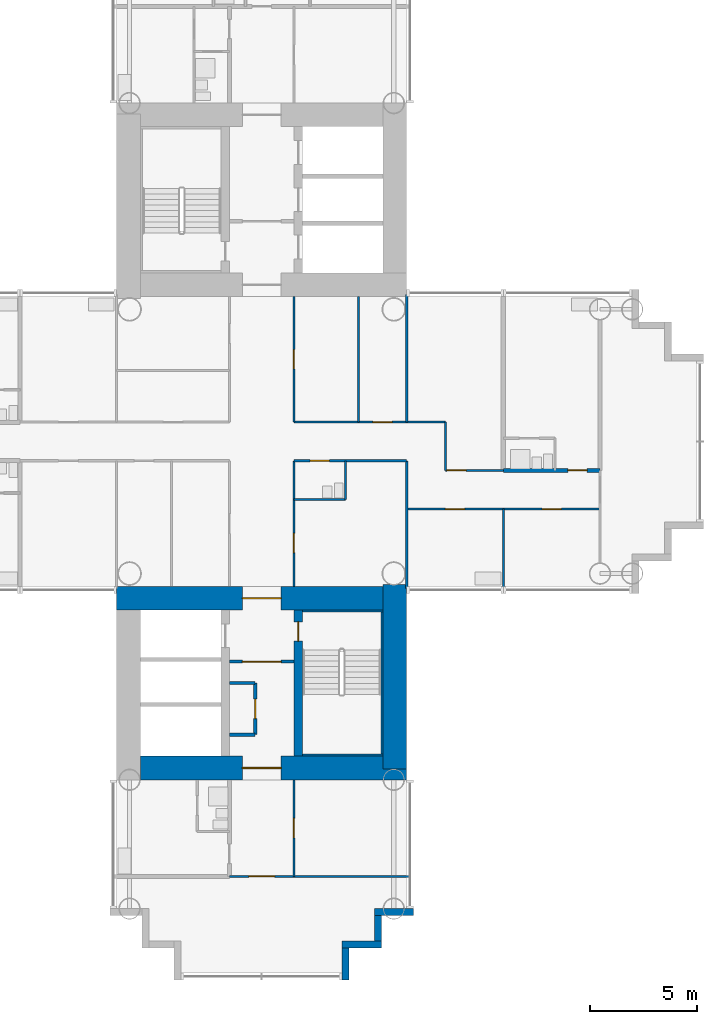
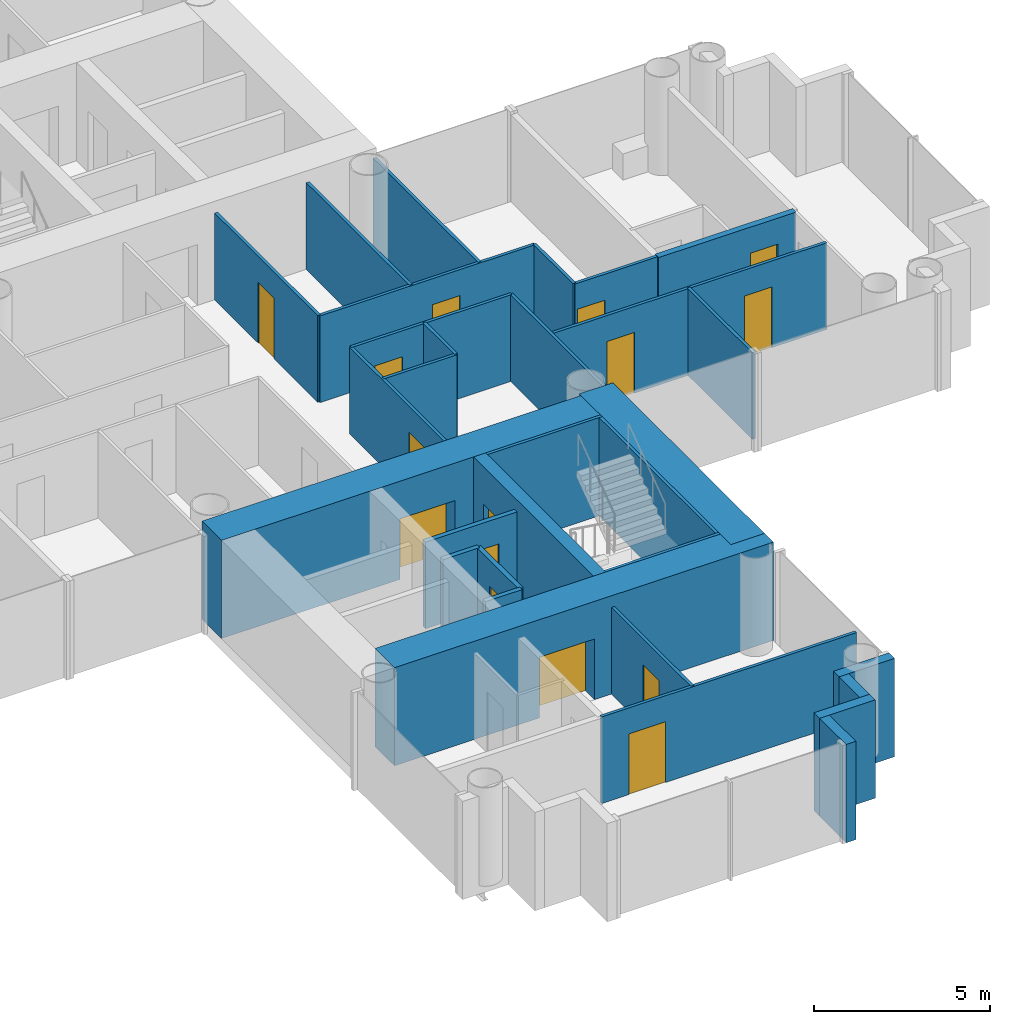
# One storey, part 13 of 21: 31 walls, 15 doors, 15 openings.
"""IFC4 building model written with IfcOpenShell, lengths in metres."""

from ifc_helpers import new_model, si_unit, direction, frame, frame_2d, origin, place, context, subcontext, project, spatial, rectangle, extrude, material, layer, layer_set, type_object, element, fill, save


model = new_model("IFC4")

# Units and contexts
model_context = context("Model", 3, precision=1e-05, world=origin(), true_north=direction((0.0, 1.0)))
body_context = subcontext(model_context, "Body", "Model", "MODEL_VIEW")
ifc_project = project(units=[si_unit("LENGTHUNIT", "METRE"), si_unit("AREAUNIT", "SQUARE_METRE"), si_unit("VOLUMEUNIT", "CUBIC_METRE"), si_unit("PLANEANGLEUNIT", "RADIAN"), si_unit("MASSUNIT", "GRAM", prefix="KILO")], contexts=[model_context])

# Site, building, storey
site_placement = place(None, origin())
site = spatial("IfcSite", under=ifc_project, at=site_placement, CompositionType="ELEMENT")
building_placement = place(site_placement, origin())
building = spatial("IfcBuilding", under=site, at=building_placement, Name="Ipe Terrace Towers", CompositionType="ELEMENT")
storey_placement = place(building_placement, frame((0.0, 0.0, 41.5)))
storey = spatial("IfcBuildingStorey", under=building, at=storey_placement, Name="L10", CompositionType="ELEMENT", Elevation=41.5)

# Walls
ifc_material_1 = material(Name="Concrete C40/50 with buff precast cladding", Category="concrete")
ifc_layer_1 = layer(ifc_material_1, 0.320068359375)
ifc_layer_set_1 = layer_set([ifc_layer_1], Name="BUFF CLADDING WALL 320")
wall_type_1 = type_object("IfcWallType", Name="BUFF CLADDING WALL 320", PredefinedType="STANDARD", material=ifc_layer_set_1)
wall_1_placement = place(storey_placement, frame((39.909912109375, -25.070068359375, -0.300048828125), z_axis=(0.0, 0.0, 1.0), x_axis=(0.0, 1.0, 0.0)))
element("IfcWall", 1, at=wall_1_placement, inside=storey, type_object=wall_type_1, Name="T2-W-L10-00a wall", PredefinedType="STANDARD", context=body_context, shape_type="SweptSolid", body=[
    extrude(rectangle(XDim=1.5, YDim=0.320068359375, at=frame_2d((0.75, 0.0))), origin(), (0.0, 0.0, 1.0), 3.400146484375),
])
wall_2_placement = place(storey_placement, frame((39.75, -23.409912109375, -0.300048828125), z_axis=(0.0, 0.0, 1.0), x_axis=(1.0, 0.0, 0.0)))
element("IfcWall", 2, at=wall_2_placement, inside=storey, type_object=wall_type_1, Name="T2-W-L10-01a wall", PredefinedType="STANDARD", context=body_context, shape_type="SweptSolid", body=[
    extrude(rectangle(XDim=1.820068359375, YDim=0.320068359375, at=frame_2d((0.91015625, 0.0))), origin(), (0.0, 0.0, 1.0), 3.400146484375),
])
wall_3_placement = place(storey_placement, frame((41.409912109375, -23.25, -0.300048828125), z_axis=(0.0, 0.0, 1.0), x_axis=(0.0, 1.0, 0.0)))
element("IfcWall", 3, at=wall_3_placement, inside=storey, type_object=wall_type_1, Name="T2-W-L10-02a wall", PredefinedType="STANDARD", context=body_context, shape_type="SweptSolid", body=[
    extrude(rectangle(XDim=1.179931640625, YDim=0.320068359375, at=frame_2d((0.58984375, 0.0))), origin(), (0.0, 0.0, 1.0), 3.400146484375),
])
wall_4_placement = place(storey_placement, frame((41.25, -21.909912109375, -0.300048828125), z_axis=(0.0, 0.0, 1.0), x_axis=(1.0, 0.0, 0.0)))
element("IfcWall", 4, at=wall_4_placement, inside=storey, type_object=wall_type_1, Name="T2-W-L10-03a wall", PredefinedType="STANDARD", context=body_context, shape_type="SweptSolid", body=[
    extrude(rectangle(XDim=1.820068359375, YDim=0.320068359375, at=frame_2d((0.91015625, 0.0))), origin(), (0.0, 0.0, 1.0), 3.400146484375),
])

# Wall, opening, door
ifc_material_2 = material(Name="Gypsum board partition", Category="plasterboard")
ifc_layer_2 = layer(ifc_material_2, 0.10009765625)
ifc_layer_set_2 = layer_set([ifc_layer_2], Name="Gypsum board partition 100 mm")
wall_type_2 = type_object("IfcWallType", Name="Gypsum board partition 100 mm", PredefinedType="PARTITIONING", material=ifc_layer_set_2)
wall_5_placement = place(storey_placement, frame((42.85009765625, -20.25, 0.0), z_axis=(0.0, 0.0, 1.0), x_axis=(-1.0, 0.0, 0.0)))
wall_5 = element("IfcWall", 5, at=wall_5_placement, inside=storey, type_object=wall_type_2, Name="Gypsum board partition T2 L10 W01", PredefinedType="PARTITIONING", context=body_context, shape_type="SweptSolid", body=[
    extrude(rectangle(XDim=8.35009765625, YDim=0.10009765625, at=frame_2d((4.175048828125, 0.0))), origin(), (0.0, 0.0, 1.0), 3.0),
])
opening_1_placement = place(wall_5_placement, frame((6.25, 0.0, 0.0)))
opening_1 = element("IfcOpeningElement", 6, at=opening_1_placement, cuts=wall_5, Name="Opening T2-Z1B-33", PredefinedType="OPENING", context=body_context, shape_type="SweptSolid", body=[
    extrude(rectangle(XDim=1.199951171875, YDim=2.10009765625, at=frame_2d((0.60009765625, 1.050048828125))), frame((0.0, 0.06005859375, 0.0), z_axis=(0.0, -1.0, 0.0), x_axis=(1.0, 0.0, 0.0)), (0.0, 0.0, 1.0), 0.1201171875),
])
ifc_material_3 = material(Name="Timber door leaf", Category="wood")
door_type_1 = type_object("IfcDoorType", Name="Lounge door 1200 x 2100", OperationType="NOTDEFINED", PredefinedType="DOOR", material=ifc_material_3)
door_1_placement = place(opening_1_placement, origin())
door_1 = element("IfcDoor", 7, at=door_1_placement, inside=storey, type_object=door_type_1, Name="Lounge door T2-Z1B-33", OperationType="SINGLE_SWING_LEFT", OverallHeight=2.10009765625, OverallWidth=1.199951171875, PredefinedType="DOOR", context=body_context, shape_type="SweptSolid", body=[
    extrude(rectangle(XDim=1.199951171875, YDim=2.10009765625, at=frame_2d((0.60009765625, 1.050048828125))), frame((0.0, 0.02490234375, 0.0), z_axis=(0.0, -1.0, 0.0), x_axis=(1.0, 0.0, 0.0)), (0.0, 0.0, 1.0), 0.050048828125),
])
fill(opening_1, door_1)

# Wall, openings, doors
wall_6_placement = place(storey_placement, frame((51.75, -3.14990234375, 0.0), z_axis=(0.0, 0.0, 1.0), x_axis=(-1.0, 0.0, 0.0)))
wall_6 = element("IfcWall", 8, at=wall_6_placement, inside=storey, type_object=wall_type_2, Name="Gypsum board partition T2 L10 W04", PredefinedType="PARTITIONING", context=body_context, shape_type="SweptSolid", body=[
    extrude(rectangle(XDim=9.0, YDim=0.10009765625, at=frame_2d((4.5, 0.0))), origin(), (0.0, 0.0, 1.0), 3.0),
])
opening_2_placement = place(wall_6_placement, frame((6.300048828125, 0.0, 0.0)))
opening_2 = element("IfcOpeningElement", 9, at=opening_2_placement, cuts=wall_6, Name="Opening T2-Z1B-19", PredefinedType="OPENING", context=body_context, shape_type="SweptSolid", body=[
    extrude(rectangle(XDim=0.89990234375, YDim=2.10009765625, at=frame_2d((0.449951171875, 1.050048828125))), frame((0.0, 0.06005859375, 0.0), z_axis=(0.0, -1.0, 0.0), x_axis=(1.0, 0.0, 0.0)), (0.0, 0.0, 1.0), 0.1201171875),
])
opening_3_placement = place(wall_6_placement, frame((1.800048828125, 0.0, 0.0)))
opening_3 = element("IfcOpeningElement", 10, at=opening_3_placement, cuts=wall_6, Name="Opening T2-Z1B-20", PredefinedType="OPENING", context=body_context, shape_type="SweptSolid", body=[
    extrude(rectangle(XDim=0.89990234375, YDim=2.10009765625, at=frame_2d((0.449951171875, 1.050048828125))), frame((0.0, 0.06005859375, 0.0), z_axis=(0.0, -1.0, 0.0), x_axis=(1.0, 0.0, 0.0)), (0.0, 0.0, 1.0), 0.1201171875),
])
ifc_material_4 = material(Name="Timber door leaf", Category="wood")
door_type_2 = type_object("IfcDoorType", Name="Lounge door 900 x 2100", OperationType="NOTDEFINED", PredefinedType="DOOR", material=ifc_material_4)
door_2_placement = place(opening_2_placement, origin())
door_2 = element("IfcDoor", 11, at=door_2_placement, inside=storey, type_object=door_type_2, Name="Lounge door T2-Z1B-19", OperationType="SINGLE_SWING_LEFT", OverallHeight=2.10009765625, OverallWidth=0.89990234375, PredefinedType="DOOR", context=body_context, shape_type="SweptSolid", body=[
    extrude(rectangle(XDim=0.89990234375, YDim=2.10009765625, at=frame_2d((0.449951171875, 1.050048828125))), frame((0.0, 0.02490234375, 0.0), z_axis=(0.0, -1.0, 0.0), x_axis=(1.0, 0.0, 0.0)), (0.0, 0.0, 1.0), 0.050048828125),
])
fill(opening_2, door_2)
door_3_placement = place(opening_3_placement, origin())
door_3 = element("IfcDoor", 12, at=door_3_placement, inside=storey, type_object=door_type_2, Name="Lounge door T2-Z1B-20", OperationType="SINGLE_SWING_RIGHT", OverallHeight=2.10009765625, OverallWidth=0.89990234375, PredefinedType="DOOR", context=body_context, shape_type="SweptSolid", body=[
    extrude(rectangle(XDim=0.89990234375, YDim=2.10009765625, at=frame_2d((0.449951171875, 1.050048828125))), frame((0.0, 0.02490234375, 0.0), z_axis=(0.0, -1.0, 0.0), x_axis=(1.0, 0.0, 0.0)), (0.0, 0.0, 1.0), 0.050048828125),
])
fill(opening_3, door_3)

# Wall
wall_7_placement = place(storey_placement, frame((39.89990234375, -2.699951171875, 0.0), z_axis=(0.0, 0.0, 1.0), x_axis=(-1.0, 0.0, 0.0)))
element("IfcWall", 13, at=wall_7_placement, inside=storey, type_object=wall_type_2, Name="Gypsum board partition T2 L10 W05", PredefinedType="PARTITIONING", context=body_context, shape_type="SweptSolid", body=[
    extrude(rectangle(XDim=2.39990234375, YDim=0.10009765625, at=frame_2d((1.199951171875, 0.0))), origin(), (0.0, 0.0, 1.0), 3.0),
])

# Wall, opening, door
wall_8_placement = place(storey_placement, frame((47.25, -1.35009765625, 0.0), z_axis=(0.0, 0.0, 1.0), x_axis=(-1.0, 0.0, 0.0)))
wall_8 = element("IfcWall", 14, at=wall_8_placement, inside=storey, type_object=wall_type_2, Name="Gypsum board partition T2 L10 W07", PredefinedType="PARTITIONING", context=body_context, shape_type="SweptSolid", body=[
    extrude(rectangle(XDim=2.699951171875, YDim=0.10009765625, at=frame_2d((1.35009765625, 0.0))), origin(), (0.0, 0.0, 1.0), 3.0),
])
opening_4_placement = place(wall_8_placement, frame((1.72998046875, 0.0, 0.0)))
opening_4 = element("IfcOpeningElement", 15, at=opening_4_placement, cuts=wall_8, Name="Opening T2-Z1B-16", PredefinedType="OPENING", context=body_context, shape_type="SweptSolid", body=[
    extrude(rectangle(XDim=0.89990234375, YDim=2.10009765625, at=frame_2d((0.449951171875, 1.050048828125))), frame((0.0, 0.06005859375, 0.0), z_axis=(0.0, -1.0, 0.0), x_axis=(1.0, 0.0, 0.0)), (0.0, 0.0, 1.0), 0.1201171875),
])
door_4_placement = place(opening_4_placement, origin())
door_4 = element("IfcDoor", 16, at=door_4_placement, inside=storey, type_object=door_type_2, Name="Lounge door T2-Z1B-16", OperationType="SINGLE_SWING_RIGHT", OverallHeight=2.10009765625, OverallWidth=0.89990234375, PredefinedType="DOOR", context=body_context, shape_type="SweptSolid", body=[
    extrude(rectangle(XDim=0.89990234375, YDim=2.10009765625, at=frame_2d((0.449951171875, 1.050048828125))), frame((0.0, 0.02490234375, 0.0), z_axis=(0.0, -1.0, 0.0), x_axis=(1.0, 0.0, 0.0)), (0.0, 0.0, 1.0), 0.050048828125),
])
fill(opening_4, door_4)

wall_9_placement = place(storey_placement, frame((42.75, -0.89990234375, 0.0), z_axis=(0.0, 0.0, 1.0), x_axis=(-1.0, 0.0, 0.0)))
wall_9 = element("IfcWall", 17, at=wall_9_placement, inside=storey, type_object=wall_type_2, Name="Gypsum board partition T2 L10 W09", PredefinedType="PARTITIONING", context=body_context, shape_type="SweptSolid", body=[
    extrude(rectangle(XDim=5.25, YDim=0.10009765625, at=frame_2d((2.625, 0.0))), origin(), (0.0, 0.0, 1.0), 3.0),
])
opening_5_placement = place(wall_9_placement, frame((3.60009765625, 0.0, 0.0)))
opening_5 = element("IfcOpeningElement", 18, at=opening_5_placement, cuts=wall_9, Name="Opening T2-Z1B-01", PredefinedType="OPENING", context=body_context, shape_type="SweptSolid", body=[
    extrude(rectangle(XDim=0.89990234375, YDim=2.10009765625, at=frame_2d((0.449951171875, 1.050048828125))), frame((0.0, 0.06005859375, 0.0), z_axis=(0.0, -1.0, 0.0), x_axis=(1.0, 0.0, 0.0)), (0.0, 0.0, 1.0), 0.1201171875),
])
ifc_material_5 = material(Name="Timber door leaf", Category="wood")
door_type_3 = type_object("IfcDoorType", Name="Bathroom door 900 x 2100", OperationType="NOTDEFINED", PredefinedType="DOOR", material=ifc_material_5)
door_5_placement = place(opening_5_placement, origin())
door_5 = element("IfcDoor", 19, at=door_5_placement, inside=storey, type_object=door_type_3, Name="Bathroom door T2-Z1B-01", OperationType="SINGLE_SWING_LEFT", OverallHeight=2.10009765625, OverallWidth=0.89990234375, PredefinedType="DOOR", context=body_context, shape_type="SweptSolid", body=[
    extrude(rectangle(XDim=0.89990234375, YDim=2.10009765625, at=frame_2d((0.449951171875, 1.050048828125))), frame((0.0, 0.02490234375, 0.0), z_axis=(0.0, -1.0, 0.0), x_axis=(1.0, 0.0, 0.0)), (0.0, 0.0, 1.0), 0.050048828125),
])
fill(opening_5, door_5)

wall_10_placement = place(storey_placement, frame((44.550048828125, 0.89990234375, 0.0), z_axis=(0.0, 0.0, 1.0), x_axis=(-1.0, 0.0, 0.0)))
wall_10 = element("IfcWall", 20, at=wall_10_placement, inside=storey, type_object=wall_type_2, Name="Gypsum board partition T2 L10 W13", PredefinedType="PARTITIONING", context=body_context, shape_type="SweptSolid", body=[
    extrude(rectangle(XDim=7.050048828125, YDim=0.10009765625, at=frame_2d((3.52490234375, 0.0))), origin(), (0.0, 0.0, 1.0), 3.0),
])
opening_6_placement = place(wall_10_placement, frame((2.47509765625, 0.0, 0.0)))
opening_6 = element("IfcOpeningElement", 21, at=opening_6_placement, cuts=wall_10, Name="Opening T2-Z1B-08", PredefinedType="OPENING", context=body_context, shape_type="SweptSolid", body=[
    extrude(rectangle(XDim=0.89990234375, YDim=2.10009765625, at=frame_2d((0.449951171875, 1.050048828125))), frame((0.0, 0.06005859375, 0.0), z_axis=(0.0, -1.0, 0.0), x_axis=(1.0, 0.0, 0.0)), (0.0, 0.0, 1.0), 0.1201171875),
])
door_6_placement = place(opening_6_placement, origin())
door_6 = element("IfcDoor", 22, at=door_6_placement, inside=storey, type_object=door_type_2, Name="Lounge door T2-Z1B-08", OperationType="SINGLE_SWING_LEFT", OverallHeight=2.10009765625, OverallWidth=0.89990234375, PredefinedType="DOOR", context=body_context, shape_type="SweptSolid", body=[
    extrude(rectangle(XDim=0.89990234375, YDim=2.10009765625, at=frame_2d((0.449951171875, 1.050048828125))), frame((0.0, 0.02490234375, 0.0), z_axis=(0.0, -1.0, 0.0), x_axis=(1.0, 0.0, 0.0)), (0.0, 0.0, 1.0), 0.050048828125),
])
fill(opening_6, door_6)

# Walls
wall_11_placement = place(storey_placement, frame((47.25, -6.85009765625, 0.0), z_axis=(0.0, 0.0, 1.0), x_axis=(0.0, 1.0, 0.0)))
element("IfcWall", 23, at=wall_11_placement, inside=storey, type_object=wall_type_2, Name="Gypsum board partition T2 L10 W24", PredefinedType="PARTITIONING", context=body_context, shape_type="SweptSolid", body=[
    extrude(rectangle(XDim=3.7001953125, YDim=0.10009765625, at=frame_2d((1.85009765625, 0.0))), origin(), (0.0, 0.0, 1.0), 3.0),
])
wall_12_placement = place(storey_placement, frame((44.550048828125, -1.35009765625, 0.0), z_axis=(0.0, 0.0, 1.0), x_axis=(0.0, 1.0, 0.0)))
element("IfcWall", 24, at=wall_12_placement, inside=storey, type_object=wall_type_2, Name="Gypsum board partition T2 L10 W26", PredefinedType="PARTITIONING", context=body_context, shape_type="SweptSolid", body=[
    extrude(rectangle(XDim=2.25, YDim=0.10009765625, at=frame_2d((1.125, 0.0))), origin(), (0.0, 0.0, 1.0), 3.0),
])
for number, where, z_axis, x_axis, name in (
    (25, (42.75, -6.85009765625, 0.0), (0.0, 0.0, 1.0), (0.0, 1.0, 0.0), "Gypsum board partition T2 L10 W27"),
    (26, (42.75, 0.89990234375, 0.0), (0.0, 0.0, 1.0), (0.0, 1.0, 0.0), "Gypsum board partition T2 L10 W28"),
):
    element("IfcWall", number, at=place(storey_placement, frame(where, z_axis=z_axis, x_axis=x_axis)), inside=storey, type_object=wall_type_2, Name=name, PredefinedType="PARTITIONING", context=body_context, shape_type="SweptSolid", body=[
        extrude(rectangle(XDim=5.9501953125, YDim=0.10009765625, at=frame_2d((2.97509765625, 0.0))), origin(), (0.0, 0.0, 1.0), 3.0),
    ])
wall_13_placement = place(storey_placement, frame((40.5, 0.89990234375, 0.0), z_axis=(0.0, 0.0, 1.0), x_axis=(0.0, 1.0, 0.0)))
element("IfcWall", 27, at=wall_13_placement, inside=storey, type_object=wall_type_2, Name="Gypsum board partition T2 L10 W29", PredefinedType="PARTITIONING", context=body_context, shape_type="SweptSolid", body=[
    extrude(rectangle(XDim=5.85009765625, YDim=0.10009765625, at=frame_2d((2.925048828125, 0.0))), origin(), (0.0, 0.0, 1.0), 3.0),
])
wall_14_placement = place(storey_placement, frame((39.89990234375, -2.699951171875, 0.0), z_axis=(0.0, 0.0, 1.0), x_axis=(0.0, 1.0, 0.0)))
element("IfcWall", 28, at=wall_14_placement, inside=storey, type_object=wall_type_2, Name="Gypsum board partition T2 L10 W30", PredefinedType="PARTITIONING", context=body_context, shape_type="SweptSolid", body=[
    extrude(rectangle(XDim=1.800048828125, YDim=0.10009765625, at=frame_2d((0.89990234375, 0.0))), origin(), (0.0, 0.0, 1.0), 3.0),
])

# Wall, opening, door
wall_15_placement = place(storey_placement, frame((37.5, -20.25, 0.0), z_axis=(0.0, 0.0, 1.0), x_axis=(0.0, 1.0, 0.0)))
wall_15 = element("IfcWall", 29, at=wall_15_placement, inside=storey, type_object=wall_type_2, Name="Gypsum board partition T2 L10 W32", PredefinedType="PARTITIONING", context=body_context, shape_type="SweptSolid", body=[
    extrude(rectangle(XDim=4.5, YDim=0.10009765625, at=frame_2d((2.25, 0.0))), origin(), (0.0, 0.0, 1.0), 3.0),
])
opening_7_placement = place(wall_15_placement, frame((1.800048828125, 0.0, 0.0)))
opening_7 = element("IfcOpeningElement", 30, at=opening_7_placement, cuts=wall_15, Name="Opening T2-Z1B-30", PredefinedType="OPENING", context=body_context, shape_type="SweptSolid", body=[
    extrude(rectangle(XDim=0.89990234375, YDim=2.10009765625, at=frame_2d((0.449951171875, 1.050048828125))), frame((0.0, 0.06005859375, 0.0), z_axis=(0.0, -1.0, 0.0), x_axis=(1.0, 0.0, 0.0)), (0.0, 0.0, 1.0), 0.1201171875),
])
door_7_placement = place(opening_7_placement, origin())
door_7 = element("IfcDoor", 31, at=door_7_placement, inside=storey, type_object=door_type_2, Name="Lounge door T2-Z1B-30", OperationType="SINGLE_SWING_RIGHT", OverallHeight=2.10009765625, OverallWidth=0.89990234375, PredefinedType="DOOR", context=body_context, shape_type="SweptSolid", body=[
    extrude(rectangle(XDim=0.89990234375, YDim=2.10009765625, at=frame_2d((0.449951171875, 1.050048828125))), frame((0.0, 0.02490234375, 0.0), z_axis=(0.0, -1.0, 0.0), x_axis=(1.0, 0.0, 0.0)), (0.0, 0.0, 1.0), 0.050048828125),
])
fill(opening_7, door_7)

wall_16_placement = place(storey_placement, frame((37.5, -6.75, 0.0), z_axis=(0.0, 0.0, 1.0), x_axis=(0.0, 1.0, 0.0)))
wall_16 = element("IfcWall", 32, at=wall_16_placement, inside=storey, type_object=wall_type_2, Name="Gypsum board partition T2 L10 W33", PredefinedType="PARTITIONING", context=body_context, shape_type="SweptSolid", body=[
    extrude(rectangle(XDim=5.85009765625, YDim=0.10009765625, at=frame_2d((2.925048828125, 0.0))), origin(), (0.0, 0.0, 1.0), 3.0),
])
opening_8_placement = place(wall_16_placement, frame((1.574951171875, 0.0, 0.0)))
opening_8 = element("IfcOpeningElement", 33, at=opening_8_placement, cuts=wall_16, Name="Opening T2-Z1B-06", PredefinedType="OPENING", context=body_context, shape_type="SweptSolid", body=[
    extrude(rectangle(XDim=0.89990234375, YDim=2.10009765625, at=frame_2d((0.449951171875, 1.050048828125))), frame((0.0, 0.06005859375, 0.0), z_axis=(0.0, -1.0, 0.0), x_axis=(1.0, 0.0, 0.0)), (0.0, 0.0, 1.0), 0.1201171875),
])
door_8_placement = place(opening_8_placement, origin())
door_8 = element("IfcDoor", 34, at=door_8_placement, inside=storey, type_object=door_type_2, Name="Lounge door T2-Z1B-06", OperationType="SINGLE_SWING_LEFT", OverallHeight=2.10009765625, OverallWidth=0.89990234375, PredefinedType="DOOR", context=body_context, shape_type="SweptSolid", body=[
    extrude(rectangle(XDim=0.89990234375, YDim=2.10009765625, at=frame_2d((0.449951171875, 1.050048828125))), frame((0.0, 0.02490234375, 0.0), z_axis=(0.0, -1.0, 0.0), x_axis=(1.0, 0.0, 0.0)), (0.0, 0.0, 1.0), 0.050048828125),
])
fill(opening_8, door_8)

wall_17_placement = place(storey_placement, frame((37.5, 0.89990234375, 0.0), z_axis=(0.0, 0.0, 1.0), x_axis=(0.0, 1.0, 0.0)))
wall_17 = element("IfcWall", 35, at=wall_17_placement, inside=storey, type_object=wall_type_2, Name="Gypsum board partition T2 L10 W34", PredefinedType="PARTITIONING", context=body_context, shape_type="SweptSolid", body=[
    extrude(rectangle(XDim=5.85009765625, YDim=0.10009765625, at=frame_2d((2.925048828125, 0.0))), origin(), (0.0, 0.0, 1.0), 3.0),
])
opening_9_placement = place(wall_17_placement, frame((2.47509765625, 0.0, 0.0)))
opening_9 = element("IfcOpeningElement", 36, at=opening_9_placement, cuts=wall_17, Name="Opening T2-Z1B-07", PredefinedType="OPENING", context=body_context, shape_type="SweptSolid", body=[
    extrude(rectangle(XDim=0.89990234375, YDim=2.10009765625, at=frame_2d((0.449951171875, 1.050048828125))), frame((0.0, 0.06005859375, 0.0), z_axis=(0.0, -1.0, 0.0), x_axis=(1.0, 0.0, 0.0)), (0.0, 0.0, 1.0), 0.1201171875),
])
door_9_placement = place(opening_9_placement, origin())
door_9 = element("IfcDoor", 37, at=door_9_placement, inside=storey, type_object=door_type_2, Name="Lounge door T2-Z1B-07", OperationType="SINGLE_SWING_RIGHT", OverallHeight=2.10009765625, OverallWidth=0.89990234375, PredefinedType="DOOR", context=body_context, shape_type="SweptSolid", body=[
    extrude(rectangle(XDim=0.89990234375, YDim=2.10009765625, at=frame_2d((0.449951171875, 1.050048828125))), frame((0.0, 0.02490234375, 0.0), z_axis=(0.0, -1.0, 0.0), x_axis=(1.0, 0.0, 0.0)), (0.0, 0.0, 1.0), 0.050048828125),
])
fill(opening_9, door_9)

ifc_material_6 = material(Name="Gypsum board partition", Category="plasterboard")
ifc_layer_3 = layer(ifc_material_6, 0.14990234375)
ifc_layer_set_3 = layer_set([ifc_layer_3], Name="Gypsum board partition 150 mm")
wall_type_3 = type_object("IfcWallType", Name="Gypsum board partition 150 mm", PredefinedType="PARTITIONING", material=ifc_layer_set_3)
wall_18_placement = place(storey_placement, frame((34.5, -10.25, 0.0), z_axis=(0.0, 0.0, 1.0), x_axis=(1.0, 0.0, 0.0)))
wall_18 = element("IfcWall", 38, at=wall_18_placement, inside=storey, type_object=wall_type_3, Name="Gypsum board partition T2 L10 t2c2-lobby-wall", PredefinedType="PARTITIONING", context=body_context, shape_type="SweptSolid", body=[
    extrude(rectangle(XDim=3.0, YDim=0.14990234375, at=frame_2d((1.5, 0.0))), origin(), (0.0, 0.0, 1.0), 3.0),
])
opening_10_placement = place(wall_18_placement, frame((0.60009765625, 0.0, 0.0)))
opening_10 = element("IfcOpeningElement", 39, at=opening_10_placement, cuts=wall_18, Name="Opening T2C2-VD", PredefinedType="OPENING", context=body_context, shape_type="SweptSolid", body=[
    extrude(rectangle(XDim=1.800048828125, YDim=2.10009765625, at=frame_2d((0.89990234375, 1.050048828125))), frame((0.0, 0.0849609375, 0.0), z_axis=(0.0, -1.0, 0.0), x_axis=(1.0, 0.0, 0.0)), (0.0, 0.0, 1.0), 0.169921875),
])
ifc_material_7 = material(Name="Fire-rated timber door leaf", Category="wood")
door_type_4 = type_object("IfcDoorType", Name="Lobby door 1800 x 2100 FD60", OperationType="NOTDEFINED", PredefinedType="DOOR", material=ifc_material_7)
door_10_placement = place(opening_10_placement, origin())
door_10 = element("IfcDoor", 40, at=door_10_placement, inside=storey, type_object=door_type_4, Name="Lobby door T2C2-VD", OperationType="SINGLE_SWING_LEFT", OverallHeight=2.10009765625, OverallWidth=1.800048828125, PredefinedType="DOOR", context=body_context, shape_type="SweptSolid", body=[
    extrude(rectangle(XDim=1.800048828125, YDim=2.10009765625, at=frame_2d((0.89990234375, 1.050048828125))), frame((0.0, 0.02490234375, 0.0), z_axis=(0.0, -1.0, 0.0), x_axis=(1.0, 0.0, 0.0)), (0.0, 0.0, 1.0), 0.050048828125),
])
fill(opening_10, door_10)

wall_19_placement = place(storey_placement, frame((35.699951171875, -11.25, 0.0), z_axis=(0.0, 0.0, 1.0), x_axis=(0.0, -1.0, 0.0)))
wall_19 = element("IfcWall", 41, at=wall_19_placement, inside=storey, type_object=wall_type_3, Name="Gypsum board partition T2 L10 t2c2-cup-s-f", PredefinedType="PARTITIONING", context=body_context, shape_type="SweptSolid", body=[
    extrude(rectangle(XDim=2.39990234375, YDim=0.14990234375, at=frame_2d((1.199951171875, 0.0))), origin(), (0.0, 0.0, 1.0), 3.0),
])
opening_11_placement = place(wall_19_placement, frame((0.75, 0.0, 0.0)))
opening_11 = element("IfcOpeningElement", 42, at=opening_11_placement, cuts=wall_19, Name="Opening T2C2-SC", PredefinedType="OPENING", context=body_context, shape_type="SweptSolid", body=[
    extrude(rectangle(XDim=0.89990234375, YDim=2.10009765625, at=frame_2d((0.449951171875, 1.050048828125))), frame((0.0, 0.0849609375, 0.0), z_axis=(0.0, -1.0, 0.0), x_axis=(1.0, 0.0, 0.0)), (0.0, 0.0, 1.0), 0.169921875),
])
ifc_material_8 = material(Name="Fire-rated timber door leaf", Category="wood")
door_type_5 = type_object("IfcDoorType", Name="Service door 900 x 2100 FD30S", OperationType="NOTDEFINED", PredefinedType="DOOR", material=ifc_material_8)
door_11_placement = place(opening_11_placement, origin())
door_11 = element("IfcDoor", 43, at=door_11_placement, inside=storey, type_object=door_type_5, Name="Service door T2C2-SC", OperationType="SINGLE_SWING_LEFT", OverallHeight=2.10009765625, OverallWidth=0.89990234375, PredefinedType="DOOR", context=body_context, shape_type="SweptSolid", body=[
    extrude(rectangle(XDim=0.89990234375, YDim=2.10009765625, at=frame_2d((0.449951171875, 1.050048828125))), frame((0.0, 0.02490234375, 0.0), z_axis=(0.0, -1.0, 0.0), x_axis=(1.0, 0.0, 0.0)), (0.0, 0.0, 1.0), 0.050048828125),
])
fill(opening_11, door_11)

# Walls
for number, where, z_axis, x_axis, name in (
    (44, (35.699951171875, -11.25, 0.0), (0.0, 0.0, 1.0), (-1.0, 0.0, 0.0), "Gypsum board partition T2 L10 t2c2-cup-s-a"),
    (45, (35.699951171875, -13.64990234375, 0.0), (0.0, 0.0, 1.0), (-1.0, 0.0, 0.0), "Gypsum board partition T2 L10 t2c2-cup-s-b"),
):
    element("IfcWall", number, at=place(storey_placement, frame(where, z_axis=z_axis, x_axis=x_axis)), inside=storey, type_object=wall_type_3, Name=name, PredefinedType="PARTITIONING", context=body_context, shape_type="SweptSolid", body=[
        extrude(rectangle(XDim=1.199951171875, YDim=0.14990234375, at=frame_2d((0.60009765625, 0.0))), origin(), (0.0, 0.0, 1.0), 3.0),
    ])

# Wall, opening, door
ifc_material_9 = material(Name="Gypsum board party wall", Category="plasterboard")
ifc_layer_4 = layer(ifc_material_9, 0.199951171875)
ifc_layer_set_4 = layer_set([ifc_layer_4], Name="Gypsum board party wall 200 mm")
wall_type_4 = type_object("IfcWallType", Name="Gypsum board party wall 200 mm", PredefinedType="SOLIDWALL", material=ifc_layer_set_4)
wall_20_placement = place(storey_placement, frame((51.75, -1.35009765625, 0.0), z_axis=(0.0, 0.0, 1.0), x_axis=(-1.0, 0.0, 0.0)))
wall_20 = element("IfcWall", 46, at=wall_20_placement, inside=storey, type_object=wall_type_4, Name="Gypsum board party wall T2 L10 W08", PredefinedType="SOLIDWALL", context=body_context, shape_type="SweptSolid", body=[
    extrude(rectangle(XDim=4.5, YDim=0.199951171875, at=frame_2d((2.25, 0.0))), origin(), (0.0, 0.0, 1.0), 3.0),
])
opening_12_placement = place(wall_20_placement, frame((0.60009765625, 0.0, 0.0)))
opening_12 = element("IfcOpeningElement", 47, at=opening_12_placement, cuts=wall_20, Name="Opening T2-Z1B-17", PredefinedType="OPENING", context=body_context, shape_type="SweptSolid", body=[
    extrude(rectangle(XDim=0.89990234375, YDim=2.10009765625, at=frame_2d((0.449951171875, 1.050048828125))), frame((0.0, 0.10986328125, 0.0), z_axis=(0.0, -1.0, 0.0), x_axis=(1.0, 0.0, 0.0)), (0.0, 0.0, 1.0), 0.219970703125),
])
ifc_material_10 = material(Name="Fire-rated timber door leaf", Category="wood")
door_type_6 = type_object("IfcDoorType", Name="Flat entrance door 900 x 2100 FD30S", OperationType="NOTDEFINED", PredefinedType="DOOR", material=ifc_material_10)
door_12_placement = place(opening_12_placement, origin())
door_12 = element("IfcDoor", 48, at=door_12_placement, inside=storey, type_object=door_type_6, Name="Flat entrance door T2-Z1B-17", OperationType="SINGLE_SWING_LEFT", OverallHeight=2.10009765625, OverallWidth=0.89990234375, PredefinedType="DOOR", context=body_context, shape_type="SweptSolid", body=[
    extrude(rectangle(XDim=0.89990234375, YDim=2.10009765625, at=frame_2d((0.449951171875, 1.050048828125))), frame((0.0, 0.02490234375, 0.0), z_axis=(0.0, -1.0, 0.0), x_axis=(1.0, 0.0, 0.0)), (0.0, 0.0, 1.0), 0.050048828125),
])
fill(opening_12, door_12)

# Walls
ifc_material_11 = material(Name="Concrete C60/75", Category="concrete")
ifc_layer_5 = layer(ifc_material_11, 0.10009765625)
ifc_layer_set_5 = layer_set([ifc_layer_5], Name="RW100 CORE INFILL WALL 100 C60-75")
wall_type_5 = type_object("IfcWallType", Name="RW100 CORE INFILL WALL 100 C60-75", PredefinedType="SHEAR", material=ifc_layer_set_5)
wall_21_placement = place(storey_placement, frame((37.89990234375, -14.60009765625, 0.0), z_axis=(0.0, 0.0, 1.0), x_axis=(1.0, 0.0, 0.0)))
element("IfcWall", 49, at=wall_21_placement, inside=storey, type_object=wall_type_5, Name="Core infill wall T2-C2-far", PredefinedType="SHEAR", context=body_context, shape_type="SweptSolid", body=[
    extrude(rectangle(XDim=3.75, YDim=0.10009765625, at=frame_2d((1.875, 0.0))), origin(), (0.0, 0.0, 1.0), 3.39990234375),
])
wall_22_placement = place(storey_placement, frame((41.60009765625, -7.949951171875, 0.0), z_axis=(0.0, 0.0, 1.0), x_axis=(0.0, -1.0, 0.0)))
element("IfcWall", 50, at=wall_22_placement, inside=storey, type_object=wall_type_5, Name="Core infill wall T2-C2-back", PredefinedType="SHEAR", context=body_context, shape_type="SweptSolid", body=[
    extrude(rectangle(XDim=6.60009765625, YDim=0.10009765625, at=frame_2d((3.300048828125, 0.0))), origin(), (0.0, 0.0, 1.0), 3.39990234375),
])
wall_23_placement = place(storey_placement, frame((37.89990234375, -7.89990234375, 0.0), z_axis=(0.0, 0.0, 1.0), x_axis=(1.0, 0.0, 0.0)))
element("IfcWall", 51, at=wall_23_placement, inside=storey, type_object=wall_type_5, Name="Core infill wall T2-C2-near", PredefinedType="SHEAR", context=body_context, shape_type="SweptSolid", body=[
    extrude(rectangle(XDim=3.75, YDim=0.10009765625, at=frame_2d((1.875, 0.0))), origin(), (0.0, 0.0, 1.0), 3.39990234375),
])

# Wall, opening, door
ifc_material_12 = material(Name="Concrete C60/75", Category="concrete")
ifc_layer_6 = layer(ifc_material_12, 1.10009765625)
ifc_layer_set_6 = layer_set([ifc_layer_6], Name="RW1100 CORE WALL 1100 C60-75")
wall_type_6 = type_object("IfcWallType", Name="RW1100 CORE WALL 1100 C60-75", PredefinedType="SHEAR", material=ifc_layer_set_6)
wall_24_placement = place(storey_placement, frame((30.35009765625, -15.199951171875, 0.0), z_axis=(0.0, 0.0, 1.0), x_axis=(1.0, 0.0, 0.0)))
wall_24 = element("IfcWall", 52, at=wall_24_placement, inside=storey, type_object=wall_type_6, Name="Core wall T2-C2-Z1-W01", PredefinedType="SHEAR", context=body_context, shape_type="SweptSolid", body=[
    extrude(rectangle(XDim=12.39990234375, YDim=1.10009765625, at=frame_2d((6.199951171875, 0.0))), origin(), (0.0, 0.0, 1.0), 3.39990234375),
])
opening_13_placement = place(wall_24_placement, frame((4.75, 0.0, 0.0)))
opening_13 = element("IfcOpeningElement", 53, at=opening_13_placement, cuts=wall_24, Name="Opening T2C2-FD", PredefinedType="OPENING", context=body_context, shape_type="SweptSolid", body=[
    extrude(rectangle(XDim=1.800048828125, YDim=2.10009765625, at=frame_2d((0.89990234375, 1.050048828125))), frame((0.0, 0.56005859375, 0.0), z_axis=(0.0, -1.0, 0.0), x_axis=(1.0, 0.0, 0.0)), (0.0, 0.0, 1.0), 1.1201171875),
])
ifc_material_13 = material(Name="Fire-rated timber door leaf", Category="wood")
door_type_7 = type_object("IfcDoorType", Name="Fire door 1800 x 2100 FD30S", OperationType="NOTDEFINED", PredefinedType="DOOR", material=ifc_material_13)
door_13_placement = place(opening_13_placement, origin())
door_13 = element("IfcDoor", 54, at=door_13_placement, inside=storey, type_object=door_type_7, Name="Fire door T2C2-FD", OperationType="SINGLE_SWING_LEFT", OverallHeight=2.10009765625, OverallWidth=1.800048828125, PredefinedType="DOOR", context=body_context, shape_type="SweptSolid", body=[
    extrude(rectangle(XDim=1.800048828125, YDim=2.10009765625, at=frame_2d((0.89990234375, 1.050048828125))), frame((0.0, 0.02490234375, 0.0), z_axis=(0.0, -1.0, 0.0), x_axis=(1.0, 0.0, 0.0)), (0.0, 0.0, 1.0), 0.050048828125),
])
fill(opening_13, door_13)

# Wall
wall_25_placement = place(storey_placement, frame((42.199951171875, -15.248046875, 0.0), z_axis=(0.0, 0.0, 1.0), x_axis=(0.0, 1.0, 0.0)))
element("IfcWall", 55, at=wall_25_placement, inside=storey, type_object=wall_type_6, Name="Core wall T2-C2-Z1-W02", PredefinedType="SHEAR", context=body_context, shape_type="SweptSolid", body=[
    extrude(rectangle(XDim=8.595947265625, YDim=1.10009765625, at=frame_2d((4.2978515625, 0.0))), origin(), (0.0, 0.0, 1.0), 3.39990234375),
])

# Wall, opening, door
wall_26_placement = place(storey_placement, frame((41.64990234375, -7.300048828125, 0.0), z_axis=(0.0, 0.0, 1.0), x_axis=(-1.0, 0.0, 0.0)))
wall_26 = element("IfcWall", 56, at=wall_26_placement, inside=storey, type_object=wall_type_6, Name="Core wall T2-C2-Z1-W03", PredefinedType="SHEAR", context=body_context, shape_type="SweptSolid", body=[
    extrude(rectangle(XDim=12.39990234375, YDim=1.10009765625, at=frame_2d((6.199951171875, 0.0))), origin(), (0.0, 0.0, 1.0), 3.39990234375),
])
opening_14_placement = place(wall_26_placement, frame((4.75, 0.0, 0.0)))
opening_14 = element("IfcOpeningElement", 57, at=opening_14_placement, cuts=wall_26, Name="Opening T2C2-ND", PredefinedType="OPENING", context=body_context, shape_type="SweptSolid", body=[
    extrude(rectangle(XDim=1.800048828125, YDim=2.10009765625, at=frame_2d((0.89990234375, 1.050048828125))), frame((0.0, 0.56005859375, 0.0), z_axis=(0.0, -1.0, 0.0), x_axis=(1.0, 0.0, 0.0)), (0.0, 0.0, 1.0), 1.1201171875),
])
door_14_placement = place(opening_14_placement, origin())
door_14 = element("IfcDoor", 58, at=door_14_placement, inside=storey, type_object=door_type_7, Name="Fire door T2C2-ND", OperationType="SINGLE_SWING_LEFT", OverallHeight=2.10009765625, OverallWidth=1.800048828125, PredefinedType="DOOR", context=body_context, shape_type="SweptSolid", body=[
    extrude(rectangle(XDim=1.800048828125, YDim=2.10009765625, at=frame_2d((0.89990234375, 1.050048828125))), frame((0.0, 0.02490234375, 0.0), z_axis=(0.0, -1.0, 0.0), x_axis=(1.0, 0.0, 0.0)), (0.0, 0.0, 1.0), 0.050048828125),
])
fill(opening_14, door_14)

ifc_material_14 = material(Name="Concrete C60/75", Category="concrete")
ifc_layer_7 = layer(ifc_material_14, 0.39990234375)
ifc_layer_set_7 = layer_set([ifc_layer_7], Name="RW400 CORE SPINE WALL 400 C60-75")
wall_type_7 = type_object("IfcWallType", Name="RW400 CORE SPINE WALL 400 C60-75", PredefinedType="SHEAR", material=ifc_layer_set_7)
wall_27_placement = place(storey_placement, frame((37.699951171875, -14.64990234375, 0.0), z_axis=(0.0, 0.0, 1.0), x_axis=(0.0, 1.0, 0.0)))
wall_27 = element("IfcWall", 59, at=wall_27_placement, inside=storey, type_object=wall_type_7, Name="Core spine wall T2-C2-Z1-SW2", PredefinedType="SHEAR", context=body_context, shape_type="SweptSolid", body=[
    extrude(rectangle(XDim=6.7998046875, YDim=0.39990234375, at=frame_2d((3.39990234375, 0.0))), origin(), (0.0, 0.0, 1.0), 3.39990234375),
])
opening_15_placement = place(wall_27_placement, frame((5.35009765625, 0.0, 0.0)))
opening_15 = element("IfcOpeningElement", 60, at=opening_15_placement, cuts=wall_27, Name="Opening T2C2-SD", PredefinedType="OPENING", context=body_context, shape_type="SweptSolid", body=[
    extrude(rectangle(XDim=0.89990234375, YDim=2.10009765625, at=frame_2d((0.449951171875, 1.050048828125))), frame((0.0, 0.2099609375, 0.0), z_axis=(0.0, -1.0, 0.0), x_axis=(1.0, 0.0, 0.0)), (0.0, 0.0, 1.0), 0.419921875),
])
ifc_material_15 = material(Name="Fire-rated timber door leaf", Category="wood")
door_type_8 = type_object("IfcDoorType", Name="Stair door 900 x 2100 FD60", OperationType="NOTDEFINED", PredefinedType="DOOR", material=ifc_material_15)
door_15_placement = place(opening_15_placement, origin())
door_15 = element("IfcDoor", 61, at=door_15_placement, inside=storey, type_object=door_type_8, Name="Stair door T2C2-SD", OperationType="SINGLE_SWING_RIGHT", OverallHeight=2.10009765625, OverallWidth=0.89990234375, PredefinedType="DOOR", context=body_context, shape_type="SweptSolid", body=[
    extrude(rectangle(XDim=0.89990234375, YDim=2.10009765625, at=frame_2d((0.449951171875, 1.050048828125))), frame((0.0, 0.02490234375, 0.0), z_axis=(0.0, -1.0, 0.0), x_axis=(1.0, 0.0, 0.0)), (0.0, 0.0, 1.0), 0.050048828125),
])
fill(opening_15, door_15)

save(model, "model.ifc")
